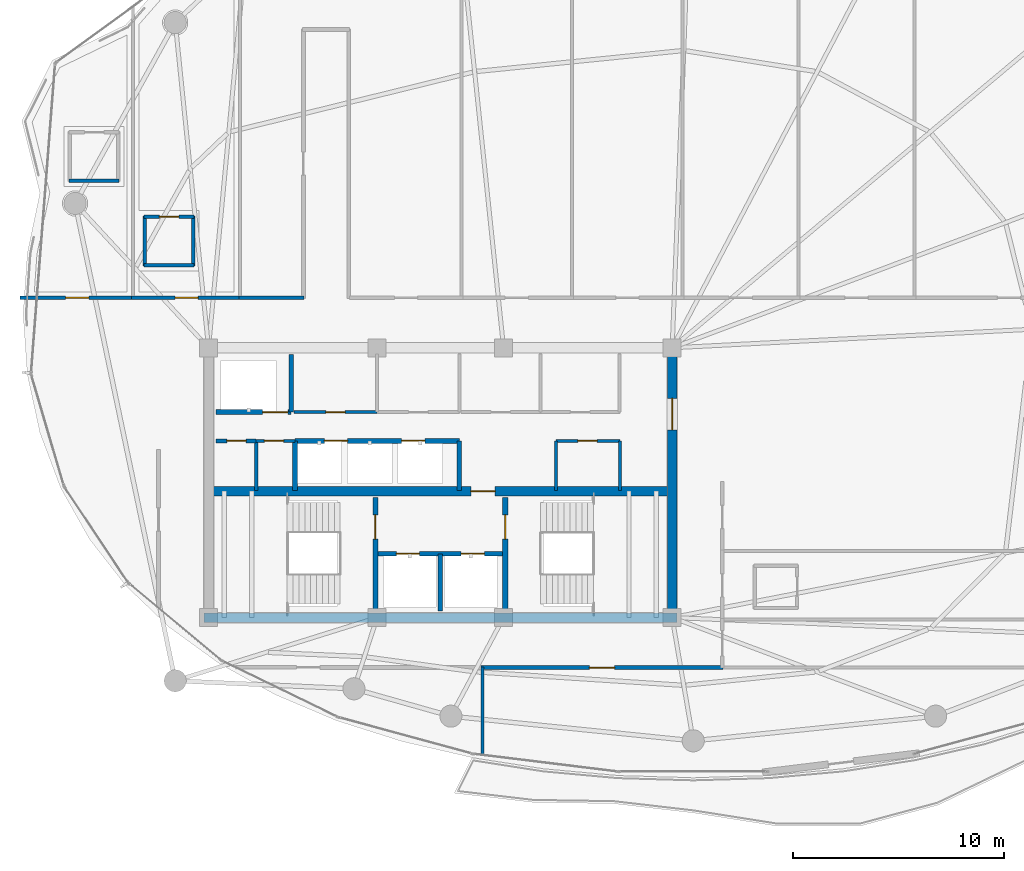
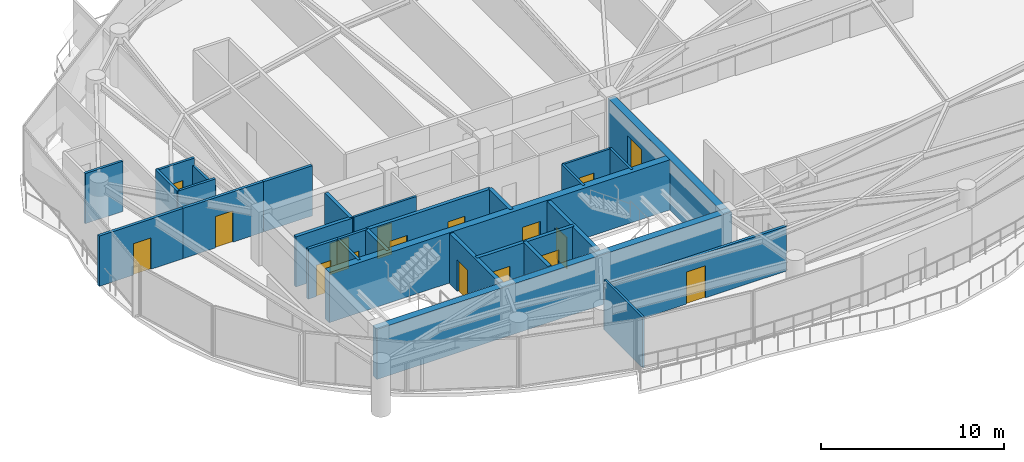
# One storey, part 25 of 31: 29 walls, 17 doors, 17 openings.
"""IFC4 building model written with IfcOpenShell, lengths in metres."""

from ifc_helpers import new_model, si_unit, direction, frame, frame_2d, origin, place, context, subcontext, project, spatial, rectangle, extrude, material, layer, layer_set, type_object, element, fill, save


model = new_model("IFC4")

# Units and contexts
model_context = context("Model", 3, precision=1e-05, world=origin(), true_north=direction((0.0, 1.0)))
body_context = subcontext(model_context, "Body", "Model", "MODEL_VIEW")
ifc_project = project(units=[si_unit("LENGTHUNIT", "METRE"), si_unit("AREAUNIT", "SQUARE_METRE"), si_unit("VOLUMEUNIT", "CUBIC_METRE"), si_unit("PLANEANGLEUNIT", "RADIAN"), si_unit("MASSUNIT", "GRAM", prefix="KILO")], contexts=[model_context])

# Site, building, storey
site_placement = place(None, origin())
site = spatial("IfcSite", under=ifc_project, at=site_placement, CompositionType="ELEMENT")
building_placement = place(site_placement, origin())
building = spatial("IfcBuilding", under=site, at=building_placement, Name="Kazevale Care Tower and Concert Hall", CompositionType="ELEMENT")
storey_placement = place(building_placement, frame((0.0, 0.0, 217.199951171875)))
storey = spatial("IfcBuildingStorey", under=building, at=storey_placement, Name="L57", CompositionType="ELEMENT", Elevation=217.199951171875)

# Wall, opening, door
ifc_material_1 = material(Name="Acoustic Gypsum on Steel Stud", Category="steel")
ifc_layer_1 = layer(ifc_material_1, 0.139892578125)
ifc_layer_set_1 = layer_set([ifc_layer_1], Name="Acoustic Gypsum on Steel Stud")
wall_type_1 = type_object("IfcWallType", Name="Acoustic Care & Suite Partition 140", PredefinedType="PARTITIONING", material=ifc_layer_set_1)
wall_1_placement = place(storey_placement, frame((26.050048828125, 33.35009765625, 0.0), z_axis=(0.0, 0.0, 1.0), x_axis=(1.0, 0.0, 0.0)))
wall_1 = element("IfcWall", 1, at=wall_1_placement, inside=storey, type_object=wall_type_1, Name="wall:L57:c_rpl1_s", PredefinedType="PARTITIONING", context=body_context, shape_type="SweptSolid", body=[
    extrude(rectangle(XDim=3.949951171875, YDim=0.139892578125, at=frame_2d((1.97509765625, 0.0))), origin(), (0.0, 0.0, 1.0), 3.360107421875),
])
opening_1_placement = place(wall_1_placement, frame((1.514892578125, 0.0, 0.0)))
opening_1 = element("IfcOpeningElement", 2, at=opening_1_placement, cuts=wall_1, Name="Opening ID-900", PredefinedType="OPENING", context=body_context, shape_type="SweptSolid", body=[
    extrude(rectangle(XDim=0.919921875, YDim=2.10009765625, at=frame_2d((0.4599609375, 1.050048828125))), frame((0.0, 0.079833984375, 0.0), z_axis=(0.0, -1.0, 0.0), x_axis=(1.0, 0.0, 0.0)), (0.0, 0.0, 1.0), 0.159912109375),
])
ifc_material_2 = material(Name="Oak Timber Fire Leaf", Category="wood")
door_type_1 = type_object("IfcDoorType", Name="Bathroom & Service Door 920x2100", OperationType="NOTDEFINED", PredefinedType="DOOR", material=ifc_material_2)
door_1_placement = place(opening_1_placement, origin())
door_1 = element("IfcDoor", 3, at=door_1_placement, inside=storey, type_object=door_type_1, Name="door:L57:d_rpl1", OperationType="SINGLE_SWING_LEFT", OverallHeight=2.10009765625, OverallWidth=0.919921875, PredefinedType="DOOR", context=body_context, shape_type="SweptSolid", body=[
    extrude(rectangle(XDim=0.919921875, YDim=2.10009765625, at=frame_2d((0.4599609375, 1.050048828125))), frame((0.0, 0.02490234375, 0.0), z_axis=(0.0, -1.0, 0.0), x_axis=(1.0, 0.0, 0.0)), (0.0, 0.0, 1.0), 0.050048828125),
])
fill(opening_1, door_1)

# Walls
for number, where, z_axis, x_axis, name in (
    (4, (38.47998046875, 29.6201171875, 0.0), (0.0, 0.0, 1.0), (0.0, 1.0, 0.0), "wall:L57:kb_ew"),
    (5, (41.52001953125, 29.6201171875, 0.0), (0.0, 0.0, 1.0), (0.0, 1.0, 0.0), "wall:L57:kb_ee"),
):
    element("IfcWall", number, at=place(storey_placement, frame(where, z_axis=z_axis, x_axis=x_axis)), inside=storey, type_object=wall_type_1, Name=name, PredefinedType="PARTITIONING", context=body_context, shape_type="SweptSolid", body=[
        extrude(rectangle(XDim=2.35986328125, YDim=0.139892578125, at=frame_2d((1.179931640625, 0.0))), origin(), (0.0, 0.0, 1.0), 3.360107421875),
    ])

# Wall, opening, door
wall_2_placement = place(storey_placement, frame((38.47998046875, 31.97998046875, 0.0), z_axis=(0.0, 0.0, 1.0), x_axis=(1.0, 0.0, 0.0)))
wall_2 = element("IfcWall", 6, at=wall_2_placement, inside=storey, type_object=wall_type_1, Name="wall:L57:kb_en", PredefinedType="PARTITIONING", context=body_context, shape_type="SweptSolid", body=[
    extrude(rectangle(XDim=3.0400390625, YDim=0.139892578125, at=frame_2d((1.52001953125, 0.0))), origin(), (0.0, 0.0, 1.0), 3.360107421875),
])
opening_2_placement = place(wall_2_placement, frame((1.044921875, 0.0, 0.0)))
opening_2 = element("IfcOpeningElement", 7, at=opening_2_placement, cuts=wall_2, Name="Opening ID-900", PredefinedType="OPENING", context=body_context, shape_type="SweptSolid", body=[
    extrude(rectangle(XDim=0.919921875, YDim=2.10009765625, at=frame_2d((0.4599609375, 1.050048828125))), frame((0.0, 0.079833984375, 0.0), z_axis=(0.0, -1.0, 0.0), x_axis=(1.0, 0.0, 0.0)), (0.0, 0.0, 1.0), 0.159912109375),
])
door_2_placement = place(opening_2_placement, origin())
door_2 = element("IfcDoor", 8, at=door_2_placement, inside=storey, type_object=door_type_1, Name="door:L57:d_kbe", OperationType="SINGLE_SWING_LEFT", OverallHeight=2.10009765625, OverallWidth=0.919921875, PredefinedType="DOOR", context=body_context, shape_type="SweptSolid", body=[
    extrude(rectangle(XDim=0.919921875, YDim=2.10009765625, at=frame_2d((0.4599609375, 1.050048828125))), frame((0.0, 0.02490234375, 0.0), z_axis=(0.0, -1.0, 0.0), x_axis=(1.0, 0.0, 0.0)), (0.0, 0.0, 1.0), 0.050048828125),
])
fill(opening_2, door_2)

# Walls
wall_3_placement = place(storey_placement, frame((35.0, 21.2548828125, 0.0), z_axis=(0.0, 0.0, 1.0), x_axis=(0.0, -1.0, 0.0)))
element("IfcWall", 9, at=wall_3_placement, inside=storey, type_object=wall_type_1, Name="wall:L57:auto_031", PredefinedType="PARTITIONING", context=body_context, shape_type="SweptSolid", body=[
    extrude(rectangle(XDim=4.16943359375, YDim=0.139892578125, at=frame_2d((2.084716796875, 0.0))), origin(), (0.0, 0.0, 1.0), 3.360107421875),
])
ifc_material_3 = material(Name="Concrete C50", Category="concrete")
ifc_layer_2 = layer(ifc_material_3, 0.449951171875)
ifc_layer_set_2 = layer_set([ifc_layer_2], Name="Concrete C50")
wall_type_2 = type_object("IfcWallType", Name="Core Shear Wall 450 C50", PredefinedType="SHEAR", material=ifc_layer_set_2)
wall_4_placement = place(storey_placement, frame((21.77490234375, 23.60009765625, 0.0), z_axis=(0.0, 0.0, 1.0), x_axis=(1.0, 0.0, 0.0)))
element("IfcWall", 10, at=wall_4_placement, inside=storey, type_object=wall_type_2, Name="wall:L57:core:S", PredefinedType="SHEAR", context=body_context, shape_type="SweptSolid", body=[
    extrude(rectangle(XDim=22.4501953125, YDim=0.449951171875, at=frame_2d((11.22509765625, 0.0))), origin(), (0.0, 0.0, 1.0), 3.360107421875),
])

# Wall, opening, door
wall_5_placement = place(storey_placement, frame((44.0, 23.824951171875, 0.0), z_axis=(0.0, 0.0, 1.0), x_axis=(0.0, 1.0, 0.0)))
wall_5 = element("IfcWall", 11, at=wall_5_placement, inside=storey, type_object=wall_type_2, Name="wall:L57:core:E", PredefinedType="SHEAR", context=body_context, shape_type="SweptSolid", body=[
    extrude(rectangle(XDim=12.35009765625, YDim=0.449951171875, at=frame_2d((6.175048828125, 0.0))), origin(), (0.0, 0.0, 1.0), 3.360107421875),
])
opening_3_placement = place(wall_5_placement, frame((8.675048828125, 0.0, 0.0)))
opening_3 = element("IfcOpeningElement", 12, at=opening_3_placement, cuts=wall_5, Name="Opening FD-60D", PredefinedType="OPENING", context=body_context, shape_type="SweptSolid", body=[
    extrude(rectangle(XDim=1.5, YDim=2.14990234375, at=frame_2d((0.75, 1.074951171875))), frame((0.0, 0.23486328125, 0.0), z_axis=(0.0, -1.0, 0.0), x_axis=(1.0, 0.0, 0.0)), (0.0, 0.0, 1.0), 0.469970703125),
])
door_type_2 = type_object("IfcDoorType", Name="Double Lobby & Auditorium Fire Door 1500x2150", OperationType="NOTDEFINED", PredefinedType="DOOR", material=ifc_material_2)
door_3_placement = place(opening_3_placement, origin())
door_3 = element("IfcDoor", 13, at=door_3_placement, inside=storey, type_object=door_type_2, Name="door:L57:core_east_out", OperationType="DOUBLE_DOOR_SINGLE_SWING", OverallHeight=2.14990234375, OverallWidth=1.5, PredefinedType="DOOR", context=body_context, shape_type="SweptSolid", body=[
    extrude(rectangle(XDim=1.5, YDim=2.14990234375, at=frame_2d((0.75, 1.074951171875))), frame((0.0, 0.02490234375, 0.0), z_axis=(0.0, -1.0, 0.0), x_axis=(1.0, 0.0, 0.0)), (0.0, 0.0, 1.0), 0.050048828125),
])
fill(opening_3, door_3)

wall_6_placement = place(storey_placement, frame((22.22509765625, 29.60009765625, 0.0), z_axis=(0.0, 0.0, 1.0), x_axis=(1.0, 0.0, 0.0)))
wall_6 = element("IfcWall", 14, at=wall_6_placement, inside=storey, type_object=wall_type_2, Name="wall:L57:core:M", PredefinedType="SHEAR", context=body_context, shape_type="SweptSolid", body=[
    extrude(rectangle(XDim=21.5498046875, YDim=0.449951171875, at=frame_2d((10.77490234375, 0.0))), origin(), (0.0, 0.0, 1.0), 3.360107421875),
])
opening_4_placement = place(wall_6_placement, frame((12.22509765625, 0.0, 0.0)))
opening_4 = element("IfcOpeningElement", 15, at=opening_4_placement, cuts=wall_6, Name="Opening FD-90", PredefinedType="OPENING", context=body_context, shape_type="SweptSolid", body=[
    extrude(rectangle(XDim=1.14990234375, YDim=2.10009765625, at=frame_2d((0.574951171875, 1.050048828125))), frame((0.0, 0.23486328125, 0.0), z_axis=(0.0, -1.0, 0.0), x_axis=(1.0, 0.0, 0.0)), (0.0, 0.0, 1.0), 0.469970703125),
])
ifc_material_4 = material(Name="Steel ASTM A572 Gr 50", Category="steel")
door_type_3 = type_object("IfcDoorType", Name="Pressurized Stair & Lobby Fire Door 1150x2100", OperationType="NOTDEFINED", PredefinedType="DOOR", material=ifc_material_4)
door_4_placement = place(opening_4_placement, origin())
door_4 = element("IfcDoor", 16, at=door_4_placement, inside=storey, type_object=door_type_3, Name="door:L57:ff_to_pax", OperationType="SINGLE_SWING_LEFT", OverallHeight=2.10009765625, OverallWidth=1.14990234375, PredefinedType="DOOR", context=body_context, shape_type="SweptSolid", body=[
    extrude(rectangle(XDim=1.14990234375, YDim=2.10009765625, at=frame_2d((0.574951171875, 1.050048828125))), frame((0.0, 0.02490234375, 0.0), z_axis=(0.0, -1.0, 0.0), x_axis=(1.0, 0.0, 0.0)), (0.0, 0.0, 1.0), 0.050048828125),
])
fill(opening_4, door_4)

# Wall, openings, doors
ifc_material_5 = material(Name="Concrete C40", Category="concrete")
ifc_layer_3 = layer(ifc_material_5, 0.219970703125)
ifc_layer_set_3 = layer_set([ifc_layer_3], Name="Concrete C40")
wall_type_3 = type_object("IfcWallType", Name="Elevator Hoistway Shaft Wall 220", PredefinedType="SOLIDWALL", material=ifc_layer_set_3)
wall_7_placement = place(storey_placement, frame((29.919921875, 26.6201171875, 0.0), z_axis=(0.0, 0.0, 1.0), x_axis=(1.0, 0.0, 0.0)))
wall_7 = element("IfcWall", 17, at=wall_7_placement, inside=storey, type_object=wall_type_3, Name="wall:L57:c_ffl_n", PredefinedType="SOLIDWALL", context=body_context, shape_type="SweptSolid", body=[
    extrude(rectangle(XDim=6.16015625, YDim=0.219970703125, at=frame_2d((3.080078125, 0.0))), origin(), (0.0, 0.0, 1.0), 3.360107421875),
])
opening_5_placement = place(wall_7_placement, frame((0.989990234375, 0.0, 0.0)))
opening_5 = element("IfcOpeningElement", 18, at=opening_5_placement, cuts=wall_7, Name="Opening LD-FF", PredefinedType="OPENING", context=body_context, shape_type="SweptSolid", body=[
    extrude(rectangle(XDim=1.10009765625, YDim=2.10009765625, at=frame_2d((0.550048828125, 1.050048828125))), frame((0.0, 0.119873046875, 0.0), z_axis=(0.0, -1.0, 0.0), x_axis=(1.0, 0.0, 0.0)), (0.0, 0.0, 1.0), 0.239990234375),
])
opening_6_placement = place(wall_7_placement, frame((4.070068359375, 0.0, 0.0)))
opening_6 = element("IfcOpeningElement", 19, at=opening_6_placement, cuts=wall_7, Name="Opening LD-FF", PredefinedType="OPENING", context=body_context, shape_type="SweptSolid", body=[
    extrude(rectangle(XDim=1.10009765625, YDim=2.10009765625, at=frame_2d((0.550048828125, 1.050048828125))), frame((0.0, 0.119873046875, 0.0), z_axis=(0.0, -1.0, 0.0), x_axis=(1.0, 0.0, 0.0)), (0.0, 0.0, 1.0), 0.239990234375),
])
ifc_material_6 = material(Name="Stainless Steel 316", Category="steel")
door_type_4 = type_object("IfcDoorType", Name="Emergency Lift Sliding Landing Door 1100x2100", OperationType="NOTDEFINED", PredefinedType="DOOR", material=ifc_material_6)
door_5_placement = place(opening_5_placement, origin())
door_5 = element("IfcDoor", 20, at=door_5_placement, inside=storey, type_object=door_type_4, Name="door:L57:ld_ffl1", OperationType="SLIDING_TO_LEFT", OverallHeight=2.10009765625, OverallWidth=1.10009765625, PredefinedType="DOOR", context=body_context, shape_type="SweptSolid", body=[
    extrude(rectangle(XDim=1.10009765625, YDim=2.10009765625, at=frame_2d((0.550048828125, 1.050048828125))), frame((0.0, 0.02490234375, 0.0), z_axis=(0.0, -1.0, 0.0), x_axis=(1.0, 0.0, 0.0)), (0.0, 0.0, 1.0), 0.050048828125),
])
fill(opening_5, door_5)
door_6_placement = place(opening_6_placement, origin())
door_6 = element("IfcDoor", 21, at=door_6_placement, inside=storey, type_object=door_type_4, Name="door:L57:ld_ffl2", OperationType="SLIDING_TO_RIGHT", OverallHeight=2.10009765625, OverallWidth=1.10009765625, PredefinedType="DOOR", context=body_context, shape_type="SweptSolid", body=[
    extrude(rectangle(XDim=1.10009765625, YDim=2.10009765625, at=frame_2d((0.550048828125, 1.050048828125))), frame((0.0, 0.02490234375, 0.0), z_axis=(0.0, -1.0, 0.0), x_axis=(1.0, 0.0, 0.0)), (0.0, 0.0, 1.0), 0.050048828125),
])
fill(opening_6, door_6)

# Walls
wall_8_placement = place(storey_placement, frame((33.0, 23.89990234375, 0.0), z_axis=(0.0, 0.0, 1.0), x_axis=(0.0, 1.0, 0.0)))
element("IfcWall", 22, at=wall_8_placement, inside=storey, type_object=wall_type_3, Name="wall:L57:c_ffl_m", PredefinedType="SOLIDWALL", context=body_context, shape_type="SweptSolid", body=[
    extrude(rectangle(XDim=2.72021484375, YDim=0.219970703125, at=frame_2d((1.360107421875, 0.0))), origin(), (0.0, 0.0, 1.0), 3.360107421875),
])
wall_9_placement = place(storey_placement, frame((25.919921875, 33.35009765625, 0.0), z_axis=(0.0, 0.0, 1.0), x_axis=(0.0, 1.0, 0.0)))
element("IfcWall", 23, at=wall_9_placement, inside=storey, type_object=wall_type_3, Name="wall:L57:c_svl_e", PredefinedType="SOLIDWALL", context=body_context, shape_type="SweptSolid", body=[
    extrude(rectangle(XDim=2.72998046875, YDim=0.219970703125, at=frame_2d((1.364990234375, 0.0))), origin(), (0.0, 0.0, 1.0), 3.360107421875),
])

# Wall, opening, door
wall_10_placement = place(storey_placement, frame((22.35009765625, 33.35009765625, 0.0), z_axis=(0.0, 0.0, 1.0), x_axis=(1.0, 0.0, 0.0)))
wall_10 = element("IfcWall", 24, at=wall_10_placement, inside=storey, type_object=wall_type_3, Name="wall:L57:c_svl_s", PredefinedType="SOLIDWALL", context=body_context, shape_type="SweptSolid", body=[
    extrude(rectangle(XDim=3.56982421875, YDim=0.219970703125, at=frame_2d((1.784912109375, 0.0))), origin(), (0.0, 0.0, 1.0), 3.360107421875),
])
opening_7_placement = place(wall_10_placement, frame((2.212890625, 0.0, 0.0)))
opening_7 = element("IfcOpeningElement", 25, at=opening_7_placement, cuts=wall_10, Name="Opening LD-SV", PredefinedType="OPENING", context=body_context, shape_type="SweptSolid", body=[
    extrude(rectangle(XDim=1.199951171875, YDim=2.10009765625, at=frame_2d((0.60009765625, 1.050048828125))), frame((0.0, 0.119873046875, 0.0), z_axis=(0.0, -1.0, 0.0), x_axis=(1.0, 0.0, 0.0)), (0.0, 0.0, 1.0), 0.239990234375),
])
door_type_5 = type_object("IfcDoorType", Name="Service Lift Sliding Landing Door 1200x2100", OperationType="NOTDEFINED", PredefinedType="DOOR", material=ifc_material_6)
door_7_placement = place(opening_7_placement, origin())
door_7 = element("IfcDoor", 26, at=door_7_placement, inside=storey, type_object=door_type_5, Name="door:L57:ld_svl1", OperationType="SLIDING_TO_LEFT", OverallHeight=2.10009765625, OverallWidth=1.199951171875, PredefinedType="DOOR", context=body_context, shape_type="SweptSolid", body=[
    extrude(rectangle(XDim=1.199951171875, YDim=2.10009765625, at=frame_2d((0.60009765625, 1.050048828125))), frame((0.0, 0.02490234375, 0.0), z_axis=(0.0, -1.0, 0.0), x_axis=(1.0, 0.0, 0.0)), (0.0, 0.0, 1.0), 0.050048828125),
])
fill(opening_7, door_7)

# Wall
wall_11_placement = place(storey_placement, frame((26.10009765625, 29.6201171875, 0.0), z_axis=(0.0, 0.0, 1.0), x_axis=(0.0, 1.0, 0.0)))
element("IfcWall", 27, at=wall_11_placement, inside=storey, type_object=wall_type_3, Name="wall:L57:c_ph_w", PredefinedType="SOLIDWALL", context=body_context, shape_type="SweptSolid", body=[
    extrude(rectangle(XDim=2.35986328125, YDim=0.219970703125, at=frame_2d((1.179931640625, 0.0))), origin(), (0.0, 0.0, 1.0), 3.360107421875),
])

# Wall, openings, doors
wall_12_placement = place(storey_placement, frame((26.10009765625, 31.97998046875, 0.0), z_axis=(0.0, 0.0, 1.0), x_axis=(1.0, 0.0, 0.0)))
wall_12 = element("IfcWall", 28, at=wall_12_placement, inside=storey, type_object=wall_type_3, Name="wall:L57:c_ph_n", PredefinedType="SOLIDWALL", context=body_context, shape_type="SweptSolid", body=[
    extrude(rectangle(XDim=7.7998046875, YDim=0.219970703125, at=frame_2d((3.89990234375, 0.0))), origin(), (0.0, 0.0, 1.0), 3.360107421875),
])
opening_8_placement = place(wall_12_placement, frame((1.39990234375, 0.0, 0.0)))
opening_8 = element("IfcOpeningElement", 29, at=opening_8_placement, cuts=wall_12, Name="Opening LD-PAX", PredefinedType="OPENING", context=body_context, shape_type="SweptSolid", body=[
    extrude(rectangle(XDim=1.10009765625, YDim=2.10009765625, at=frame_2d((0.550048828125, 1.050048828125))), frame((0.0, 0.119873046875, 0.0), z_axis=(0.0, -1.0, 0.0), x_axis=(1.0, 0.0, 0.0)), (0.0, 0.0, 1.0), 0.239990234375),
])
opening_9_placement = place(wall_12_placement, frame((5.06591796875, 0.0, 0.0)))
opening_9 = element("IfcOpeningElement", 30, at=opening_9_placement, cuts=wall_12, Name="Opening LD-PAX", PredefinedType="OPENING", context=body_context, shape_type="SweptSolid", body=[
    extrude(rectangle(XDim=1.10009765625, YDim=2.10009765625, at=frame_2d((0.550048828125, 1.050048828125))), frame((0.0, 0.119873046875, 0.0), z_axis=(0.0, -1.0, 0.0), x_axis=(1.0, 0.0, 0.0)), (0.0, 0.0, 1.0), 0.239990234375),
])
door_type_6 = type_object("IfcDoorType", Name="Passenger Lift Sliding Landing Door 1100x2100", OperationType="NOTDEFINED", PredefinedType="DOOR", material=ifc_material_6)
door_8_placement = place(opening_8_placement, origin())
door_8 = element("IfcDoor", 31, at=door_8_placement, inside=storey, type_object=door_type_6, Name="door:L57:ld_ph1", OperationType="SLIDING_TO_LEFT", OverallHeight=2.10009765625, OverallWidth=1.10009765625, PredefinedType="DOOR", context=body_context, shape_type="SweptSolid", body=[
    extrude(rectangle(XDim=1.10009765625, YDim=2.10009765625, at=frame_2d((0.550048828125, 1.050048828125))), frame((0.0, 0.02490234375, 0.0), z_axis=(0.0, -1.0, 0.0), x_axis=(1.0, 0.0, 0.0)), (0.0, 0.0, 1.0), 0.050048828125),
])
fill(opening_8, door_8)
door_9_placement = place(opening_9_placement, origin())
door_9 = element("IfcDoor", 32, at=door_9_placement, inside=storey, type_object=door_type_6, Name="door:L57:ld_ph2", OperationType="SLIDING_TO_RIGHT", OverallHeight=2.10009765625, OverallWidth=1.10009765625, PredefinedType="DOOR", context=body_context, shape_type="SweptSolid", body=[
    extrude(rectangle(XDim=1.10009765625, YDim=2.10009765625, at=frame_2d((0.550048828125, 1.050048828125))), frame((0.0, 0.02490234375, 0.0), z_axis=(0.0, -1.0, 0.0), x_axis=(1.0, 0.0, 0.0)), (0.0, 0.0, 1.0), 0.050048828125),
])
fill(opening_9, door_9)

# Wall
wall_13_placement = place(storey_placement, frame((33.89990234375, 29.6201171875, 0.0), z_axis=(0.0, 0.0, 1.0), x_axis=(0.0, 1.0, 0.0)))
element("IfcWall", 33, at=wall_13_placement, inside=storey, type_object=wall_type_3, Name="wall:L57:c_ph_e", PredefinedType="SOLIDWALL", context=body_context, shape_type="SweptSolid", body=[
    extrude(rectangle(XDim=2.35986328125, YDim=0.219970703125, at=frame_2d((1.179931640625, 0.0))), origin(), (0.0, 0.0, 1.0), 3.360107421875),
])

# Wall, opening, door
ifc_material_7 = material(Name="Concrete C40 and Acoustic Gypsum", Category="concrete")
ifc_layer_4 = layer(ifc_material_7, 0.179931640625)
ifc_layer_set_4 = layer_set([ifc_layer_4], Name="Concrete C40 and Acoustic Gypsum")
wall_type_4 = type_object("IfcWallType", Name="Fire-Rated Corridor & Party Wall 180", PredefinedType="PARTITIONING", material=ifc_layer_set_4)
wall_14_placement = place(storey_placement, frame((22.35009765625, 31.97998046875, 0.0), z_axis=(0.0, 0.0, 1.0), x_axis=(1.0, 0.0, 0.0)))
wall_14 = element("IfcWall", 34, at=wall_14_placement, inside=storey, type_object=wall_type_4, Name="wall:L57:kb_wn0", PredefinedType="PARTITIONING", context=body_context, shape_type="SweptSolid", body=[
    extrude(rectangle(XDim=1.909912109375, YDim=0.179931640625, at=frame_2d((0.955078125, 0.0))), origin(), (0.0, 0.0, 1.0), 3.360107421875),
])
opening_10_placement = place(wall_14_placement, frame((0.514892578125, 0.0, 0.0)))
opening_10 = element("IfcOpeningElement", 35, at=opening_10_placement, cuts=wall_14, Name="Opening ID-900", PredefinedType="OPENING", context=body_context, shape_type="SweptSolid", body=[
    extrude(rectangle(XDim=0.919921875, YDim=2.10009765625, at=frame_2d((0.4599609375, 1.050048828125))), frame((0.0, 0.099853515625, 0.0), z_axis=(0.0, -1.0, 0.0), x_axis=(1.0, 0.0, 0.0)), (0.0, 0.0, 1.0), 0.199951171875),
])
door_10_placement = place(opening_10_placement, origin())
door_10 = element("IfcDoor", 36, at=door_10_placement, inside=storey, type_object=door_type_1, Name="door:L57:d_kbw1", OperationType="SINGLE_SWING_LEFT", OverallHeight=2.10009765625, OverallWidth=0.919921875, PredefinedType="DOOR", context=body_context, shape_type="SweptSolid", body=[
    extrude(rectangle(XDim=0.919921875, YDim=2.10009765625, at=frame_2d((0.4599609375, 1.050048828125))), frame((0.0, 0.02490234375, 0.0), z_axis=(0.0, -1.0, 0.0), x_axis=(1.0, 0.0, 0.0)), (0.0, 0.0, 1.0), 0.050048828125),
])
fill(opening_10, door_10)

wall_15_placement = place(storey_placement, frame((13.053955078125, 38.77490234375, 0.0), z_axis=(0.0, 0.0, 1.0), x_axis=(1.0, 0.0, 0.0)))
wall_15 = element("IfcWall", 37, at=wall_15_placement, inside=storey, type_object=wall_type_4, Name="wall:L57:auto_001", PredefinedType="PARTITIONING", context=body_context, shape_type="SweptSolid", body=[
    extrude(rectangle(XDim=5.43115234375, YDim=0.179931640625, at=frame_2d((2.715576171875, 0.0))), origin(), (0.0, 0.0, 1.0), 3.360107421875),
])
opening_11_placement = place(wall_15_placement, frame((2.1650390625, 0.0, 0.0)))
opening_11 = element("IfcOpeningElement", 38, at=opening_11_placement, cuts=wall_15, Name="Opening ID-1100", PredefinedType="OPENING", context=body_context, shape_type="SweptSolid", body=[
    extrude(rectangle(XDim=1.10009765625, YDim=2.10009765625, at=frame_2d((0.550048828125, 1.050048828125))), frame((0.0, 0.099853515625, 0.0), z_axis=(0.0, -1.0, 0.0), x_axis=(1.0, 0.0, 0.0)), (0.0, 0.0, 1.0), 0.199951171875),
])
door_type_7 = type_object("IfcDoorType", Name="Care Bedroom Accessible Door 1100x2100", OperationType="NOTDEFINED", PredefinedType="DOOR", material=ifc_material_2)
door_11_placement = place(opening_11_placement, origin())
door_11 = element("IfcDoor", 39, at=door_11_placement, inside=storey, type_object=door_type_7, Name="door:L57:ad_001", OperationType="SINGLE_SWING_LEFT", OverallHeight=2.10009765625, OverallWidth=1.10009765625, PredefinedType="DOOR", context=body_context, shape_type="SweptSolid", body=[
    extrude(rectangle(XDim=1.10009765625, YDim=2.10009765625, at=frame_2d((0.550048828125, 1.050048828125))), frame((0.0, 0.02490234375, 0.0), z_axis=(0.0, -1.0, 0.0), x_axis=(1.0, 0.0, 0.0)), (0.0, 0.0, 1.0), 0.050048828125),
])
fill(opening_11, door_11)

wall_16_placement = place(storey_placement, frame((18.35498046875, 38.77490234375, 0.0), z_axis=(0.0, 0.0, 1.0), x_axis=(1.0, 0.0, 0.0)))
wall_16 = element("IfcWall", 40, at=wall_16_placement, inside=storey, type_object=wall_type_4, Name="wall:L57:auto_002", PredefinedType="PARTITIONING", context=body_context, shape_type="SweptSolid", body=[
    extrude(rectangle(XDim=5.2099609375, YDim=0.179931640625, at=frame_2d((2.60498046875, 0.0))), origin(), (0.0, 0.0, 1.0), 3.360107421875),
])
opening_12_placement = place(wall_16_placement, frame((2.054931640625, 0.0, 0.0)))
opening_12 = element("IfcOpeningElement", 41, at=opening_12_placement, cuts=wall_16, Name="Opening ID-1100", PredefinedType="OPENING", context=body_context, shape_type="SweptSolid", body=[
    extrude(rectangle(XDim=1.10009765625, YDim=2.10009765625, at=frame_2d((0.550048828125, 1.050048828125))), frame((0.0, 0.099853515625, 0.0), z_axis=(0.0, -1.0, 0.0), x_axis=(1.0, 0.0, 0.0)), (0.0, 0.0, 1.0), 0.199951171875),
])
door_12_placement = place(opening_12_placement, origin())
door_12 = element("IfcDoor", 42, at=door_12_placement, inside=storey, type_object=door_type_7, Name="door:L57:ad_002", OperationType="SINGLE_SWING_LEFT", OverallHeight=2.10009765625, OverallWidth=1.10009765625, PredefinedType="DOOR", context=body_context, shape_type="SweptSolid", body=[
    extrude(rectangle(XDim=1.10009765625, YDim=2.10009765625, at=frame_2d((0.550048828125, 1.050048828125))), frame((0.0, 0.02490234375, 0.0), z_axis=(0.0, -1.0, 0.0), x_axis=(1.0, 0.0, 0.0)), (0.0, 0.0, 1.0), 0.050048828125),
])
fill(opening_12, door_12)

# Wall
wall_17_placement = place(storey_placement, frame((23.43505859375, 38.77490234375, 0.0), z_axis=(0.0, 0.0, 1.0), x_axis=(1.0, 0.0, 0.0)))
element("IfcWall", 43, at=wall_17_placement, inside=storey, type_object=wall_type_4, Name="wall:L57:auto_005", PredefinedType="PARTITIONING", context=body_context, shape_type="SweptSolid", body=[
    extrude(rectangle(XDim=3.094970703125, YDim=0.179931640625, at=frame_2d((1.54736328125, 0.0))), origin(), (0.0, 0.0, 1.0), 3.360107421875),
])

# Wall, opening, door
wall_18_placement = place(storey_placement, frame((46.405029296875, 21.22509765625, 0.0), z_axis=(0.0, 0.0, 1.0), x_axis=(-1.0, 0.0, 0.0)))
wall_18 = element("IfcWall", 44, at=wall_18_placement, inside=storey, type_object=wall_type_4, Name="wall:L57:auto_017", PredefinedType="PARTITIONING", context=body_context, shape_type="SweptSolid", body=[
    extrude(rectangle(XDim=11.469970703125, YDim=0.179931640625, at=frame_2d((5.73486328125, 0.0))), origin(), (0.0, 0.0, 1.0), 2.99609375),
])
opening_13_placement = place(wall_18_placement, frame((5.135009765625, 0.0, 0.0)))
opening_13 = element("IfcOpeningElement", 45, at=opening_13_placement, cuts=wall_18, Name="Opening ID-1200", PredefinedType="OPENING", context=body_context, shape_type="SweptSolid", body=[
    extrude(rectangle(XDim=1.199951171875, YDim=2.14990234375, at=frame_2d((0.60009765625, 1.074951171875))), frame((0.0, 0.099853515625, 0.0), z_axis=(0.0, -1.0, 0.0), x_axis=(1.0, 0.0, 0.0)), (0.0, 0.0, 1.0), 0.199951171875),
])
door_type_8 = type_object("IfcDoorType", Name="Clinical & Therapy Door 1200x2150", OperationType="NOTDEFINED", PredefinedType="DOOR", material=ifc_material_2)
door_13_placement = place(opening_13_placement, origin())
door_13 = element("IfcDoor", 46, at=door_13_placement, inside=storey, type_object=door_type_8, Name="door:L57:ad_017", OperationType="SINGLE_SWING_LEFT", OverallHeight=2.14990234375, OverallWidth=1.199951171875, PredefinedType="DOOR", context=body_context, shape_type="SweptSolid", body=[
    extrude(rectangle(XDim=1.199951171875, YDim=2.14990234375, at=frame_2d((0.60009765625, 1.074951171875))), frame((0.0, 0.02490234375, 0.0), z_axis=(0.0, -1.0, 0.0), x_axis=(1.0, 0.0, 0.0)), (0.0, 0.0, 1.0), 0.050048828125),
])
fill(opening_13, door_13)

# Wall
ifc_layer_5 = layer(ifc_material_1, 0.159912109375)
ifc_layer_set_5 = layer_set([ifc_layer_5], Name="Acoustic Gypsum on Steel Stud")
wall_type_5 = type_object("IfcWallType", Name="Moisture-Resistant Bathroom Plumbing Wall 160", PredefinedType="PLUMBINGWALL", material=ifc_layer_set_5)
wall_19_placement = place(storey_placement, frame((24.260009765625, 29.6201171875, 0.0), z_axis=(0.0, 0.0, 1.0), x_axis=(0.0, 1.0, 0.0)))
element("IfcWall", 47, at=wall_19_placement, inside=storey, type_object=wall_type_5, Name="wall:L57:kb_we1", PredefinedType="PLUMBINGWALL", context=body_context, shape_type="SweptSolid", body=[
    extrude(rectangle(XDim=2.35986328125, YDim=0.159912109375, at=frame_2d((1.179931640625, 0.0))), origin(), (0.0, 0.0, 1.0), 3.360107421875),
])

# Wall, opening, door
wall_20_placement = place(storey_placement, frame((24.260009765625, 31.97998046875, 0.0), z_axis=(0.0, 0.0, 1.0), x_axis=(1.0, 0.0, 0.0)))
wall_20 = element("IfcWall", 48, at=wall_20_placement, inside=storey, type_object=wall_type_5, Name="wall:L57:kb_wn1", PredefinedType="PLUMBINGWALL", context=body_context, shape_type="SweptSolid", body=[
    extrude(rectangle(XDim=1.840087890625, YDim=0.159912109375, at=frame_2d((0.919921875, 0.0))), origin(), (0.0, 0.0, 1.0), 3.360107421875),
])
opening_14_placement = place(wall_20_placement, frame((0.387939453125, 0.0, 0.0)))
opening_14 = element("IfcOpeningElement", 49, at=opening_14_placement, cuts=wall_20, Name="Opening ID-900", PredefinedType="OPENING", context=body_context, shape_type="SweptSolid", body=[
    extrude(rectangle(XDim=0.919921875, YDim=2.10009765625, at=frame_2d((0.4599609375, 1.050048828125))), frame((0.0, 0.08984375, 0.0), z_axis=(0.0, -1.0, 0.0), x_axis=(1.0, 0.0, 0.0)), (0.0, 0.0, 1.0), 0.179931640625),
])
door_14_placement = place(opening_14_placement, origin())
door_14 = element("IfcDoor", 50, at=door_14_placement, inside=storey, type_object=door_type_1, Name="door:L57:d_kbw2", OperationType="SINGLE_SWING_RIGHT", OverallHeight=2.10009765625, OverallWidth=0.919921875, PredefinedType="DOOR", context=body_context, shape_type="SweptSolid", body=[
    extrude(rectangle(XDim=0.919921875, YDim=2.10009765625, at=frame_2d((0.4599609375, 1.050048828125))), frame((0.0, 0.02490234375, 0.0), z_axis=(0.0, -1.0, 0.0), x_axis=(1.0, 0.0, 0.0)), (0.0, 0.0, 1.0), 0.050048828125),
])
fill(opening_14, door_14)

# Walls
for number, where, z_axis, x_axis, name in (
    (51, (15.3779296875, 44.324951171875, 0.0), (0.0, 0.0, 1.0), (1.0, 0.0, 0.0), "wall:L57:nb1a_ens_ws"),
    (52, (18.929931640625, 40.324951171875, 0.0), (0.0, 0.0, 1.0), (1.0, 0.0, 0.0), "wall:L57:nb1b_ens_ws"),
):
    element("IfcWall", number, at=place(storey_placement, frame(where, z_axis=z_axis, x_axis=x_axis)), inside=storey, type_object=wall_type_5, Name=name, PredefinedType="PLUMBINGWALL", context=body_context, shape_type="SweptSolid", body=[
        extrude(rectangle(XDim=2.380126953125, YDim=0.159912109375, at=frame_2d((1.18994140625, 0.0))), origin(), (0.0, 0.0, 1.0), 3.360107421875),
    ])

# Wall, opening, door
wall_21_placement = place(storey_placement, frame((18.929931640625, 42.625, 0.0), z_axis=(0.0, 0.0, 1.0), x_axis=(1.0, 0.0, 0.0)))
wall_21 = element("IfcWall", 53, at=wall_21_placement, inside=storey, type_object=wall_type_5, Name="wall:L57:nb1b_ens_wn", PredefinedType="PLUMBINGWALL", context=body_context, shape_type="SweptSolid", body=[
    extrude(rectangle(XDim=2.380126953125, YDim=0.159912109375, at=frame_2d((1.18994140625, 0.0))), origin(), (0.0, 0.0, 1.0), 3.360107421875),
])
opening_15_placement = place(wall_21_placement, frame((0.739990234375, 0.0, 0.0)))
opening_15 = element("IfcOpeningElement", 54, at=opening_15_placement, cuts=wall_21, Name="Opening ID-900", PredefinedType="OPENING", context=body_context, shape_type="SweptSolid", body=[
    extrude(rectangle(XDim=0.919921875, YDim=2.10009765625, at=frame_2d((0.4599609375, 1.050048828125))), frame((0.0, 0.08984375, 0.0), z_axis=(0.0, -1.0, 0.0), x_axis=(1.0, 0.0, 0.0)), (0.0, 0.0, 1.0), 0.179931640625),
])
door_15_placement = place(opening_15_placement, origin())
door_15 = element("IfcDoor", 55, at=door_15_placement, inside=storey, type_object=door_type_1, Name="door:L57:nb1b_ens_d", OperationType="SINGLE_SWING_LEFT", OverallHeight=2.10009765625, OverallWidth=0.919921875, PredefinedType="DOOR", context=body_context, shape_type="SweptSolid", body=[
    extrude(rectangle(XDim=0.919921875, YDim=2.10009765625, at=frame_2d((0.4599609375, 1.050048828125))), frame((0.0, 0.02490234375, 0.0), z_axis=(0.0, -1.0, 0.0), x_axis=(1.0, 0.0, 0.0)), (0.0, 0.0, 1.0), 0.050048828125),
])
fill(opening_15, door_15)

# Walls
wall_22_placement = place(storey_placement, frame((18.969970703125, 40.284912109375, 0.0), z_axis=(0.0, 0.0, 1.0), x_axis=(0.0, 1.0, 0.0)))
element("IfcWall", 56, at=wall_22_placement, inside=storey, type_object=wall_type_5, Name="wall:L57:nb1b_ens_ww", PredefinedType="PLUMBINGWALL", context=body_context, shape_type="SweptSolid", body=[
    extrude(rectangle(XDim=2.380126953125, YDim=0.159912109375, at=frame_2d((1.18994140625, 0.0))), origin(), (0.0, 0.0, 1.0), 3.360107421875),
])
wall_23_placement = place(storey_placement, frame((21.27001953125, 40.284912109375, 0.0), z_axis=(0.0, 0.0, 1.0), x_axis=(0.0, 1.0, 0.0)))
element("IfcWall", 57, at=wall_23_placement, inside=storey, type_object=wall_type_5, Name="wall:L57:nb1b_ens_we", PredefinedType="PLUMBINGWALL", context=body_context, shape_type="SweptSolid", body=[
    extrude(rectangle(XDim=2.380126953125, YDim=0.159912109375, at=frame_2d((1.18994140625, 0.0))), origin(), (0.0, 0.0, 1.0), 2.89013671875),
])

# Wall, opening, door
ifc_layer_6 = layer(ifc_material_5, 0.25)
ifc_layer_set_6 = layer_set([ifc_layer_6], Name="Concrete C40")
wall_type_6 = type_object("IfcWallType", Name="Pressurized Stair Shaft Wall 250", PredefinedType="SOLIDWALL", material=ifc_layer_set_6)
wall_24_placement = place(storey_placement, frame((29.919921875, 23.89990234375, 0.0), z_axis=(0.0, 0.0, 1.0), x_axis=(0.0, 1.0, 0.0)))
wall_24 = element("IfcWall", 58, at=wall_24_placement, inside=storey, type_object=wall_type_6, Name="wall:L57:c_st1_e", PredefinedType="SOLIDWALL", context=body_context, shape_type="SweptSolid", body=[
    extrude(rectangle(XDim=5.400146484375, YDim=0.25, at=frame_2d((2.7001953125, 0.0))), origin(), (0.0, 0.0, 1.0), 3.360107421875),
])
opening_16_placement = place(wall_24_placement, frame((3.4208984375, 0.0, 0.0)))
opening_16 = element("IfcOpeningElement", 59, at=opening_16_placement, cuts=wall_24, Name="Opening FD-90", PredefinedType="OPENING", context=body_context, shape_type="SweptSolid", body=[
    extrude(rectangle(XDim=1.14990234375, YDim=2.10009765625, at=frame_2d((0.574951171875, 1.050048828125))), frame((0.0, 0.135009765625, 0.0), z_axis=(0.0, -1.0, 0.0), x_axis=(1.0, 0.0, 0.0)), (0.0, 0.0, 1.0), 0.27001953125),
])
door_16_placement = place(opening_16_placement, origin())
door_16 = element("IfcDoor", 60, at=door_16_placement, inside=storey, type_object=door_type_3, Name="door:L57:st1", OperationType="SINGLE_SWING_RIGHT", OverallHeight=2.10009765625, OverallWidth=1.14990234375, PredefinedType="DOOR", context=body_context, shape_type="SweptSolid", body=[
    extrude(rectangle(XDim=1.14990234375, YDim=2.10009765625, at=frame_2d((0.574951171875, 1.050048828125))), frame((0.0, 0.02490234375, 0.0), z_axis=(0.0, -1.0, 0.0), x_axis=(1.0, 0.0, 0.0)), (0.0, 0.0, 1.0), 0.050048828125),
])
fill(opening_16, door_16)

wall_25_placement = place(storey_placement, frame((36.080078125, 23.89990234375, 0.0), z_axis=(0.0, 0.0, 1.0), x_axis=(0.0, 1.0, 0.0)))
wall_25 = element("IfcWall", 61, at=wall_25_placement, inside=storey, type_object=wall_type_6, Name="wall:L57:c_st2_w", PredefinedType="SOLIDWALL", context=body_context, shape_type="SweptSolid", body=[
    extrude(rectangle(XDim=5.400146484375, YDim=0.25, at=frame_2d((2.7001953125, 0.0))), origin(), (0.0, 0.0, 1.0), 3.360107421875),
])
opening_17_placement = place(wall_25_placement, frame((3.4208984375, 0.0, 0.0)))
opening_17 = element("IfcOpeningElement", 62, at=opening_17_placement, cuts=wall_25, Name="Opening FD-90", PredefinedType="OPENING", context=body_context, shape_type="SweptSolid", body=[
    extrude(rectangle(XDim=1.14990234375, YDim=2.10009765625, at=frame_2d((0.574951171875, 1.050048828125))), frame((0.0, 0.135009765625, 0.0), z_axis=(0.0, -1.0, 0.0), x_axis=(1.0, 0.0, 0.0)), (0.0, 0.0, 1.0), 0.27001953125),
])
door_17_placement = place(opening_17_placement, origin())
door_17 = element("IfcDoor", 63, at=door_17_placement, inside=storey, type_object=door_type_3, Name="door:L57:st2", OperationType="SINGLE_SWING_LEFT", OverallHeight=2.10009765625, OverallWidth=1.14990234375, PredefinedType="DOOR", context=body_context, shape_type="SweptSolid", body=[
    extrude(rectangle(XDim=1.14990234375, YDim=2.10009765625, at=frame_2d((0.574951171875, 1.050048828125))), frame((0.0, 0.02490234375, 0.0), z_axis=(0.0, -1.0, 0.0), x_axis=(1.0, 0.0, 0.0)), (0.0, 0.0, 1.0), 0.050048828125),
])
fill(opening_17, door_17)

save(model, "model.ifc")
